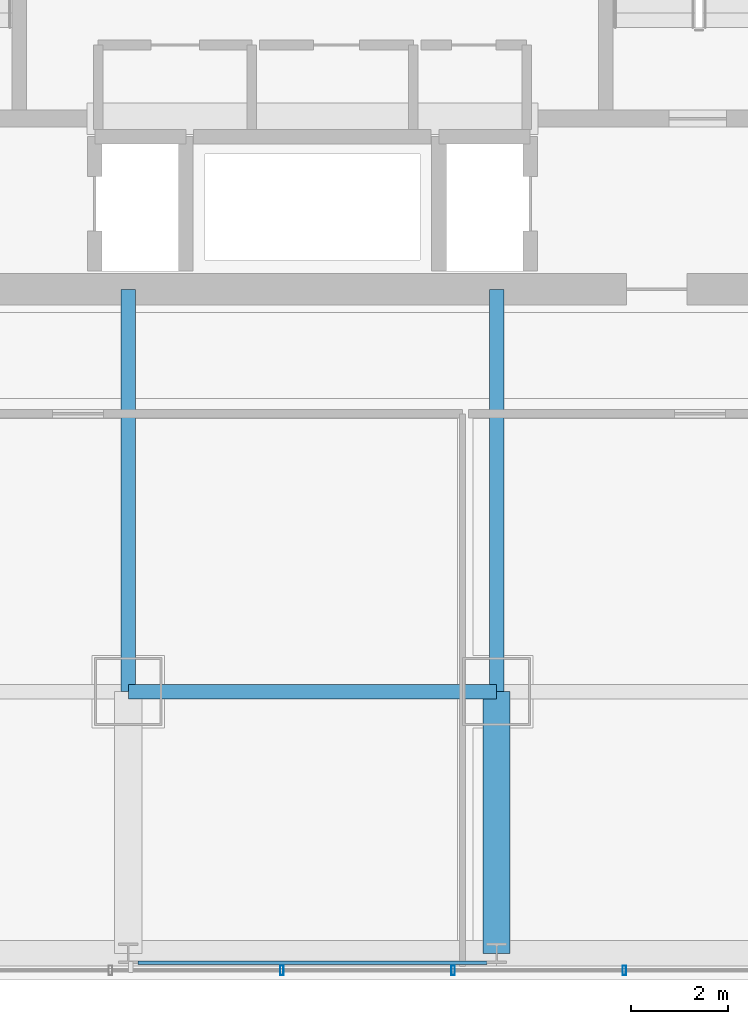
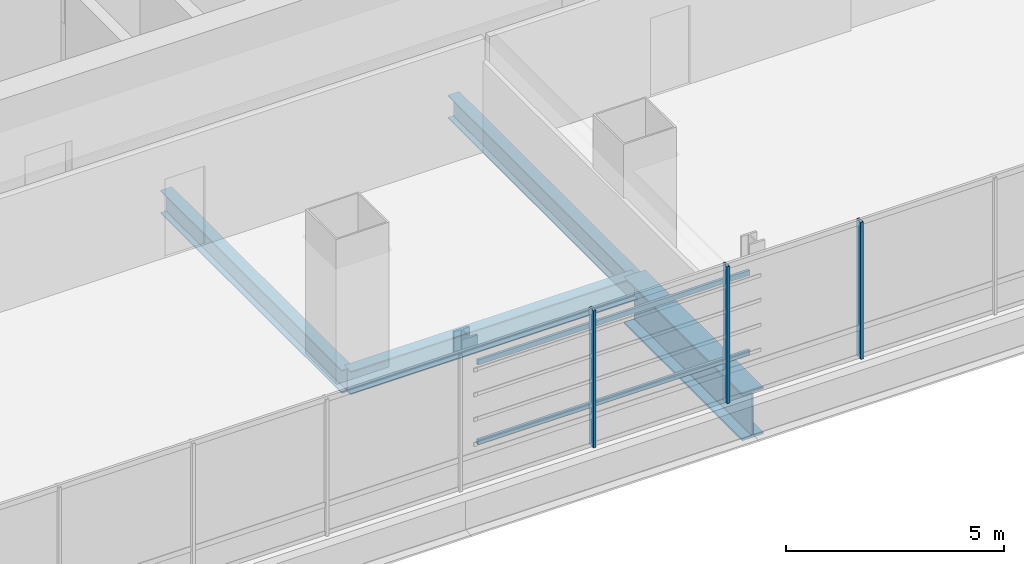
# One storey, part 8 of 36: 5 members, 4 beams, 1 element without a shape of its own.
"""IFC4 building model written with IfcOpenShell, lengths in metres."""

from ifc_helpers import new_model, si_unit, direction, frame, origin, origin_2d, place, context, subcontext, project, spatial, hollow_rectangle, i_section, extrude, material, material_profile, profile_set, type_object, element, aggregate, save


model = new_model("IFC4")

# Units and contexts
model_context = context("Model", 3, precision=1e-05, world=origin(), true_north=direction((0.0, 1.0)))
body_context = subcontext(model_context, "Body", "Model", "MODEL_VIEW")
ifc_project = project(units=[si_unit("LENGTHUNIT", "METRE"), si_unit("AREAUNIT", "SQUARE_METRE"), si_unit("VOLUMEUNIT", "CUBIC_METRE"), si_unit("PLANEANGLEUNIT", "RADIAN"), si_unit("MASSUNIT", "GRAM", prefix="KILO")], contexts=[model_context])

# Site, building, storey
site_placement = place(None, origin())
site = spatial("IfcSite", under=ifc_project, at=site_placement, CompositionType="ELEMENT")
building_placement = place(site_placement, origin())
building = spatial("IfcBuilding", under=site, at=building_placement, Name="Punatoya Terracotta Tower", CompositionType="ELEMENT")
storey_placement = place(building_placement, frame((0.0, 0.0, 184.35009765625)))
storey = spatial("IfcBuildingStorey", under=building, at=storey_placement, Name="L43", CompositionType="ELEMENT", Elevation=184.35009765625)

# Beams
ifc_material_1 = material(Name="Steel S355", Category="steel")
ifc_material_profile_1 = material_profile(ifc_material_1, i_section(OverallWidth=0.300048828125, OverallDepth=0.64990234375, WebThickness=0.01611328125, FlangeThickness=0.031005859375, FilletRadius=0.01806640625, at=origin_2d()))
ifc_profile_set_1 = profile_set([ifc_material_profile_1], Name="Steel S355")
beam_type_1 = type_object("IfcBeamType", Name="BM-PRI-650", PredefinedType="BEAM", material=ifc_profile_set_1)
beam_1_placement = place(storey_placement, frame((-3.800048828125, -17.5, -0.545166015625), z_axis=(1.0, 0.0, 0.0), x_axis=(0.0, 1.0, 0.0)))
element("IfcBeam", 1, at=beam_1_placement, inside=storey, type_object=beam_type_1, Name="BM-L43-RG-S2", PredefinedType="BEAM", context=body_context, shape_type="SweptSolid", body=[
    extrude(i_section(OverallWidth=0.300048828125, OverallDepth=0.64990234375, WebThickness=0.01611328125, FlangeThickness=0.031005859375, FilletRadius=0.01806640625, at=origin_2d()), origin(), (0.0, 0.0, 1.0), 7.60009765625),
])
for number, where, z_axis, x_axis, name in (
    (2, (-3.800048828125, -17.5, -0.545166015625), (0.0, 1.0, 0.0), (-1.0, 0.0, 0.0), "BM-L43-PR-S2"),
    (3, (3.800048828125, -17.5, -0.545166015625), (0.0, 1.0, 0.0), (-1.0, 0.0, 0.0), "BM-L43-PR-S3"),
):
    element("IfcBeam", number, at=place(storey_placement, frame(where, z_axis=z_axis, x_axis=x_axis)), inside=storey, type_object=beam_type_1, Name=name, PredefinedType="BEAM", context=body_context, shape_type="SweptSolid", body=[
        extrude(i_section(OverallWidth=0.300048828125, OverallDepth=0.64990234375, WebThickness=0.01611328125, FlangeThickness=0.031005859375, FilletRadius=0.01806640625, at=origin_2d()), origin(), (0.0, 0.0, 1.0), 8.300048828125),
    ])
ifc_material_2 = material(Name="Steel S460", Category="steel")
ifc_material_profile_2 = material_profile(ifc_material_2, i_section(OverallWidth=0.56005859375, OverallDepth=1.320068359375, WebThickness=0.035888671875, FlangeThickness=0.054931640625, FilletRadius=0.01806640625, at=origin_2d()))
ifc_profile_set_2 = profile_set([ifc_material_profile_2], Name="Steel S460")
beam_type_2 = type_object("IfcBeamType", Name="BM-TG-BLK", PredefinedType="BEAM", material=ifc_profile_set_2)
beam_2_placement = place(storey_placement, frame((3.800048828125, -22.89990234375, -0.880126953125), z_axis=(0.0, 1.0, 0.0), x_axis=(-1.0, 0.0, 0.0)))
element("IfcBeam", 4, at=beam_2_placement, inside=storey, type_object=beam_type_2, Name="BM-L43-CANT-S3", PredefinedType="BEAM", context=body_context, shape_type="SweptSolid", body=[
    extrude(i_section(OverallWidth=0.56005859375, OverallDepth=1.320068359375, WebThickness=0.035888671875, FlangeThickness=0.054931640625, FilletRadius=0.01806640625, at=origin_2d()), origin(), (0.0, 0.0, 1.0), 5.39990234375),
])

# Curtain wall, members
ifc_material_3 = material(Name="Aluminium 6063-T6 + Double Low-E Glass", Category="aluminium")
curtain_wall_type = type_object("IfcCurtainWallType", Name="CW-M2", PredefinedType="NOTDEFINED", material=ifc_material_3)
curtain_wall_placement = place(storey_placement, origin())
curtain_wall = element("IfcCurtainWall", 5, at=curtain_wall_placement, inside=storey, type_object=curtain_wall_type, Name="L43 Curtain Wall CW-L43-S01-1", PredefinedType="NOTDEFINED")
ifc_material_4 = material(Name="Aluminium 6063-T6", Category="aluminium")
ifc_material_profile_3 = material_profile(ifc_material_4, hollow_rectangle(XDim=0.072021484375, YDim=0.195068359375, WallThickness=0.00439453125, at=origin_2d()))
ifc_profile_set_3 = profile_set([ifc_material_profile_3], Name="Aluminium 6063-T6")
member_type_1 = type_object("IfcMemberType", Name="CW-MUL-M2", PredefinedType="MULLION", material=ifc_profile_set_3)
member_1_placement = place(storey_placement, frame((-0.633056640625, -23.25, 0.0), z_axis=(0.0, 0.0, 1.0), x_axis=(1.0, 0.0, 0.0)))
member_1 = element("IfcMember", 6, at=member_1_placement, type_object=member_type_1, Name="CW-L43-S01-1 Mullion 06", PredefinedType="MULLION", context=body_context, shape_type="SweptSolid", body=[
    extrude(hollow_rectangle(XDim=0.072021484375, YDim=0.195068359375, WallThickness=0.00439453125, at=origin_2d()), origin(), (0.0, 0.0, 1.0), 3.829833984375),
])
member_2_placement = place(storey_placement, frame((2.90087890625, -23.25, 0.0), z_axis=(0.0, 0.0, 1.0), x_axis=(1.0, 0.0, 0.0)))
member_2 = element("IfcMember", 7, at=member_2_placement, type_object=member_type_1, Name="CW-L43-S01-1 Mullion 07", PredefinedType="MULLION", context=body_context, shape_type="SweptSolid", body=[
    extrude(hollow_rectangle(XDim=0.072021484375, YDim=0.195068359375, WallThickness=0.00439453125, at=origin_2d()), origin(), (0.0, 0.0, 1.0), 3.829833984375),
])
member_3_placement = place(storey_placement, frame((6.43505859375, -23.25, 0.0), z_axis=(0.0, 0.0, 1.0), x_axis=(1.0, 0.0, 0.0)))
member_3 = element("IfcMember", 8, at=member_3_placement, type_object=member_type_1, Name="CW-L43-S01-1 Mullion 08", PredefinedType="MULLION", context=body_context, shape_type="SweptSolid", body=[
    extrude(hollow_rectangle(XDim=0.072021484375, YDim=0.195068359375, WallThickness=0.00439453125, at=origin_2d()), origin(), (0.0, 0.0, 1.0), 3.829833984375),
])
aggregate(curtain_wall, [member_1, member_2, member_3])

# Members
ifc_material_profile_4 = material_profile(ifc_material_1, hollow_rectangle(XDim=0.070068359375, YDim=0.139892578125, WallThickness=0.006103515625, at=origin_2d()))
ifc_profile_set_4 = profile_set([ifc_material_profile_4], Name="Steel S355")
member_type_2 = type_object("IfcMemberType", Name="MEM-BAG-RAIL", PredefinedType="USERDEFINED", material=ifc_profile_set_4)
for number, where, z_axis, x_axis, name in (
    (9, (-3.595947265625, -23.094482421875, 1.0498046875), (1.0, 0.0, 0.0), (0.0, 1.0, 0.0), "L43 Terracotta Baguette Carrier Rail BAG-L43-S-R1"),
    (10, (-3.595947265625, -23.094482421875, 3.27978515625), (1.0, 0.0, 0.0), (0.0, 1.0, 0.0), "L43 Terracotta Baguette Carrier Rail BAG-L43-S-R2"),
):
    element("IfcMember", number, at=place(storey_placement, frame(where, z_axis=z_axis, x_axis=x_axis)), inside=storey, type_object=member_type_2, Name=name, ObjectType="BAGUETTE", PredefinedType="USERDEFINED", context=body_context, shape_type="SweptSolid", body=[
        extrude(hollow_rectangle(XDim=0.070068359375, YDim=0.139892578125, WallThickness=0.006103515625, at=origin_2d()), origin(), (0.0, 0.0, 1.0), 7.19189453125),
    ])

save(model, "model.ifc")
